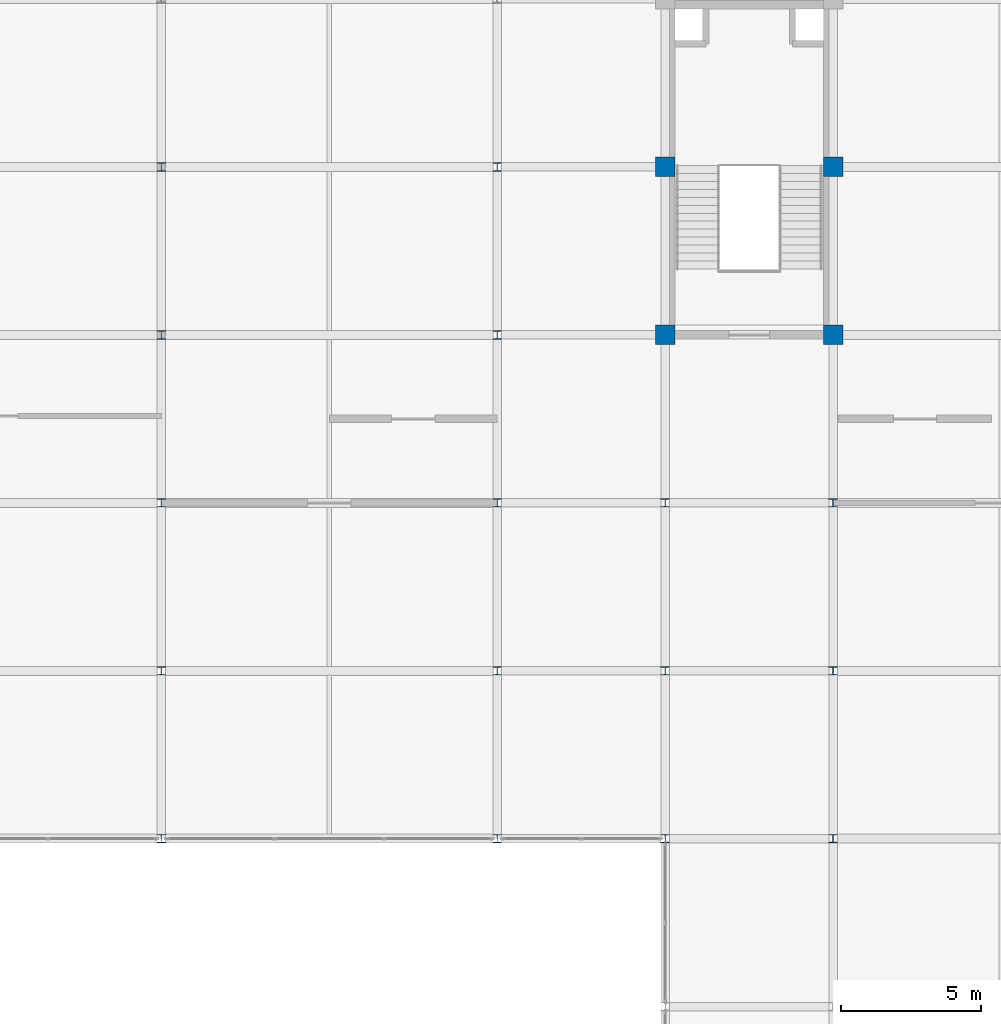
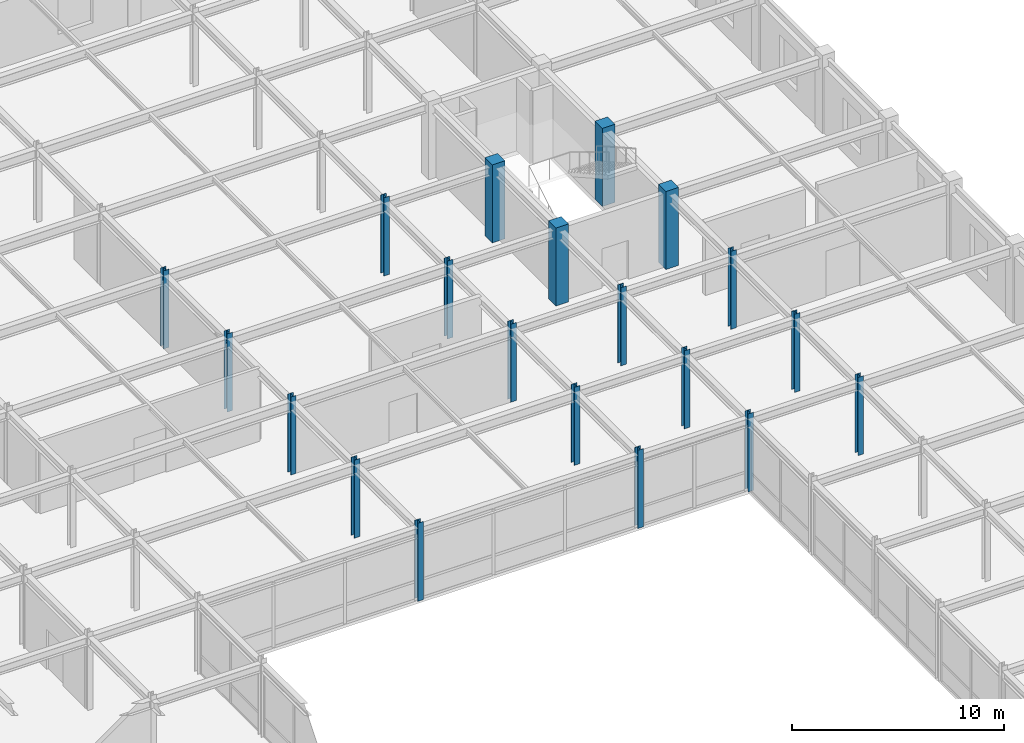
# One storey, part 21 of 108: 20 columns.
"""IFC4 building model written with IfcOpenShell, lengths in metres."""

from ifc_helpers import new_model, si_unit, direction, frame, origin, origin_2d, place, context, subcontext, project, spatial, rectangle, i_section, extrude, material, material_profile, profile_set, type_object, element, save


model = new_model("IFC4")

# Units and contexts
model_context = context("Model", 3, precision=1e-05, world=origin(), true_north=direction((0.0, 1.0)))
body_context = subcontext(model_context, "Body", "Model", "MODEL_VIEW")
ifc_project = project(units=[si_unit("LENGTHUNIT", "METRE"), si_unit("AREAUNIT", "SQUARE_METRE"), si_unit("VOLUMEUNIT", "CUBIC_METRE"), si_unit("PLANEANGLEUNIT", "RADIAN"), si_unit("MASSUNIT", "GRAM", prefix="KILO")], contexts=[model_context])

# Site, building, storey
site_placement = place(None, origin())
site = spatial("IfcSite", under=ifc_project, at=site_placement, CompositionType="ELEMENT")
building_placement = place(site_placement, origin())
building = spatial("IfcBuilding", under=site, at=building_placement, Name="Zlatovratsky Civic Hall", CompositionType="ELEMENT")
storey_placement = place(building_placement, frame((0.0, 0.0, 12.0)))
storey = spatial("IfcBuildingStorey", under=building, at=storey_placement, Name="L03", CompositionType="ELEMENT", Elevation=12.0)

# Columns
ifc_material_1 = material(Name="Concrete C35/45 (B40)", Category="concrete")
ifc_material_profile_1 = material_profile(ifc_material_1, rectangle(XDim=0.699951171875, YDim=0.699951171875, at=origin_2d()), Name="RC 700x700")
ifc_profile_set_1 = profile_set([ifc_material_profile_1], Name="Concrete C35/45 (B40)")
column_type_1 = type_object("IfcColumnType", Name="Col_CorePier_RC700", PredefinedType="COLUMN", material=ifc_profile_set_1)
for number, where, z_axis, x_axis, name in (
    (1, (150.0, 84.0, 0.0), (0.0, 0.0, 1.0), (1.0, 0.0, 0.0), "CL-1433"),
    (2, (156.0, 84.0, 0.0), (0.0, 0.0, 1.0), (1.0, 0.0, 0.0), "CL-1434"),
    (3, (150.0, 90.0, 0.0), (0.0, 0.0, 1.0), (1.0, 0.0, 0.0), "CL-1456"),
    (4, (156.0, 90.0, 0.0), (0.0, 0.0, 1.0), (1.0, 0.0, 0.0), "CL-1457"),
):
    element("IfcColumn", number, at=place(storey_placement, frame(where, z_axis=z_axis, x_axis=x_axis)), inside=storey, type_object=column_type_1, Name=name, PredefinedType="COLUMN", context=body_context, shape_type="SweptSolid", body=[
        extrude(rectangle(XDim=0.699951171875, YDim=0.699951171875, at=origin_2d()), origin(), (0.0, 0.0, 1.0), 4.5),
    ])
ifc_material_2 = material(Name="Steel S355", Category="steel")
ifc_material_profile_2 = material_profile(ifc_material_2, i_section(OverallWidth=0.299072265625, OverallDepth=0.2958984375, WebThickness=0.009033203125, FlangeThickness=0.013916015625, FilletRadius=0.01806640625, at=origin_2d()), Name="30K1")
ifc_profile_set_2 = profile_set([ifc_material_profile_2], Name="Steel S355")
column_type_2 = type_object("IfcColumnType", Name="Col_Steel_30K1", PredefinedType="COLUMN", material=ifc_profile_set_2)
for number, where, z_axis, x_axis, name in (
    (5, (132.0, 66.0, 0.0), (0.0, 0.0, 1.0), (1.0, 0.0, 0.0), "CL-1362"),
    (6, (144.0, 66.0, 0.0), (0.0, 0.0, 1.0), (1.0, 0.0, 0.0), "CL-1363"),
    (7, (150.0, 66.0, 0.0), (0.0, 0.0, 1.0), (1.0, 0.0, 0.0), "CL-1364"),
    (8, (156.0, 66.0, 0.0), (0.0, 0.0, 1.0), (1.0, 0.0, 0.0), "CL-1365"),
    (9, (132.0, 72.0, 0.0), (0.0, 0.0, 1.0), (1.0, 0.0, 0.0), "CL-1385"),
    (10, (144.0, 72.0, 0.0), (0.0, 0.0, 1.0), (1.0, 0.0, 0.0), "CL-1386"),
    (11, (150.0, 72.0, 0.0), (0.0, 0.0, 1.0), (1.0, 0.0, 0.0), "CL-1387"),
    (12, (156.0, 72.0, 0.0), (0.0, 0.0, 1.0), (1.0, 0.0, 0.0), "CL-1388"),
    (13, (132.0, 78.0, 0.0), (0.0, 0.0, 1.0), (1.0, 0.0, 0.0), "CL-1408"),
    (14, (144.0, 78.0, 0.0), (0.0, 0.0, 1.0), (1.0, 0.0, 0.0), "CL-1409"),
    (15, (150.0, 78.0, 0.0), (0.0, 0.0, 1.0), (1.0, 0.0, 0.0), "CL-1410"),
    (16, (156.0, 78.0, 0.0), (0.0, 0.0, 1.0), (1.0, 0.0, 0.0), "CL-1411"),
    (17, (132.0, 84.0, 0.0), (0.0, 0.0, 1.0), (1.0, 0.0, 0.0), "CL-1431"),
    (18, (144.0, 84.0, 0.0), (0.0, 0.0, 1.0), (1.0, 0.0, 0.0), "CL-1432"),
    (19, (132.0, 90.0, 0.0), (0.0, 0.0, 1.0), (1.0, 0.0, 0.0), "CL-1454"),
    (20, (144.0, 90.0, 0.0), (0.0, 0.0, 1.0), (1.0, 0.0, 0.0), "CL-1455"),
):
    element("IfcColumn", number, at=place(storey_placement, frame(where, z_axis=z_axis, x_axis=x_axis)), inside=storey, type_object=column_type_2, Name=name, PredefinedType="COLUMN", context=body_context, shape_type="SweptSolid", body=[
        extrude(i_section(OverallWidth=0.299072265625, OverallDepth=0.2958984375, WebThickness=0.009033203125, FlangeThickness=0.013916015625, FilletRadius=0.01806640625, at=origin_2d()), origin(), (0.0, 0.0, 1.0), 4.5),
    ])

save(model, "model.ifc")
